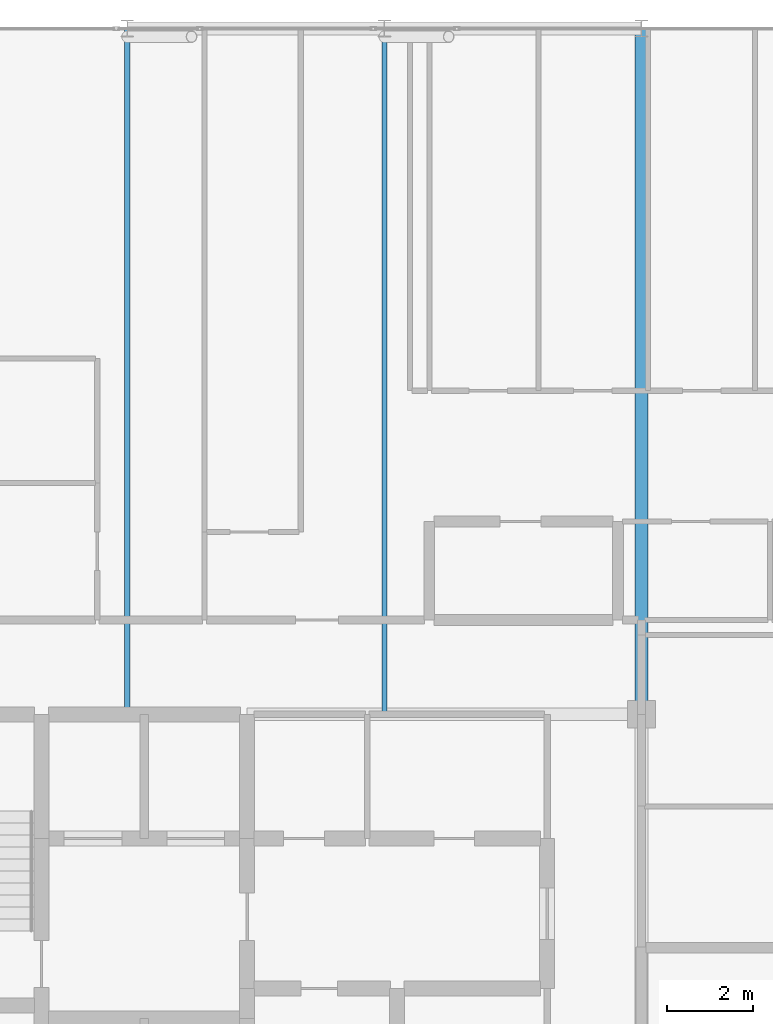
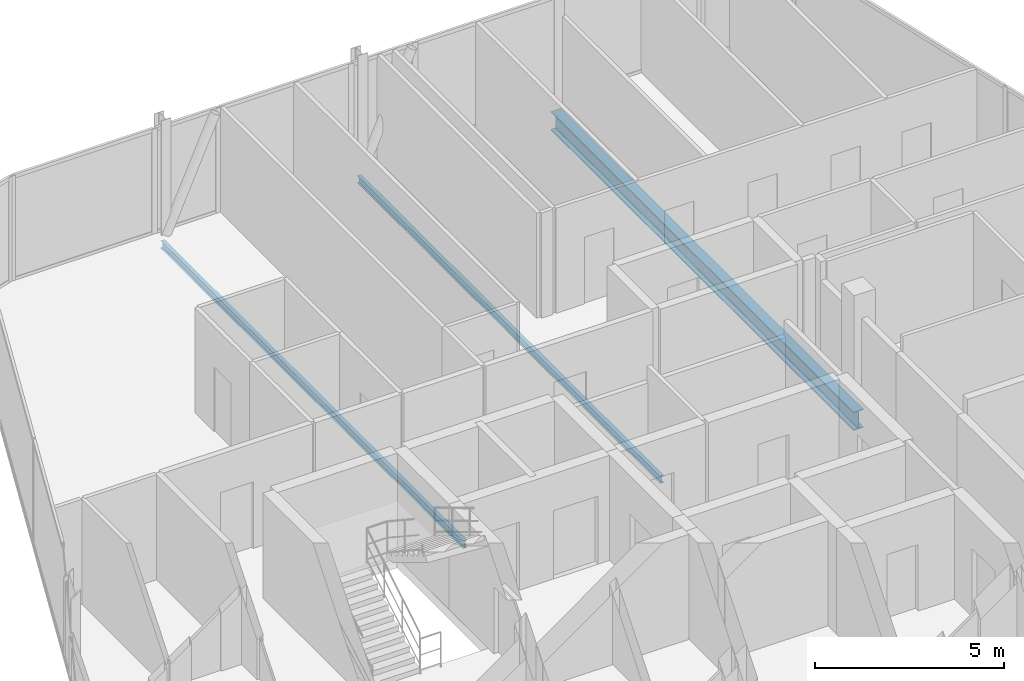
# One storey, part 16 of 27: 3 beams.
"""IFC4 building model written with IfcOpenShell, lengths in metres."""

from ifc_helpers import new_model, si_unit, direction, frame, origin, origin_2d, place, context, subcontext, project, spatial, i_section, extrude, material, material_profile, profile_set, type_object, element, save


model = new_model("IFC4")

# Units and contexts
model_context = context("Model", 3, precision=1e-05, world=origin(), true_north=direction((0.0, 1.0)))
body_context = subcontext(model_context, "Body", "Model", "MODEL_VIEW")
ifc_project = project(units=[si_unit("LENGTHUNIT", "METRE"), si_unit("AREAUNIT", "SQUARE_METRE"), si_unit("VOLUMEUNIT", "CUBIC_METRE"), si_unit("PLANEANGLEUNIT", "RADIAN"), si_unit("MASSUNIT", "GRAM", prefix="KILO")], contexts=[model_context])

# Site, building, storey
site_placement = place(None, origin())
site = spatial("IfcSite", under=ifc_project, at=site_placement, CompositionType="ELEMENT")
building_placement = place(site_placement, origin())
building = spatial("IfcBuilding", under=site, at=building_placement, Name="Keshet Zoharim Tower", CompositionType="ELEMENT")
storey_placement = place(building_placement, frame((0.0, 0.0, 291.699951171875)))
storey = spatial("IfcBuildingStorey", under=building, at=storey_placement, Name="L73", CompositionType="ELEMENT", Elevation=291.699951171875)

# Beams
ifc_material = material(Name="Steel S355", Category="steel")
ifc_material_profile_1 = material_profile(ifc_material, i_section(OverallWidth=0.1201171875, OverallDepth=0.239990234375, WebThickness=0.006103515625, FlangeThickness=0.009765625, FilletRadius=0.014892578125, at=origin_2d()), Name="IPE240")
ifc_profile_set_1 = profile_set([ifc_material_profile_1], Name="Steel S355")
beam_type_1 = type_object("IfcBeamType", Name="BM-JST-IP240", PredefinedType="JOIST", material=ifc_profile_set_1)
for number, where, z_axis, x_axis, name in (
    (1, (21.0, 37.89990234375, -0.429931640625), (0.0, 1.0, 0.0), (-1.0, 0.0, 0.0), "L73 Secondary Floor Joist J-001"),
    (2, (27.0, 37.89990234375, -0.429931640625), (0.0, 1.0, 0.0), (-1.0, 0.0, 0.0), "L73 Secondary Floor Joist J-002"),
):
    element("IfcBeam", number, at=place(storey_placement, frame(where, z_axis=z_axis, x_axis=x_axis)), inside=storey, type_object=beam_type_1, Name=name, PredefinedType="JOIST", context=body_context, shape_type="SweptSolid", body=[
        extrude(i_section(OverallWidth=0.1201171875, OverallDepth=0.239990234375, WebThickness=0.006103515625, FlangeThickness=0.009765625, FilletRadius=0.014892578125, at=origin_2d()), origin(), (0.0, 0.0, 1.0), 16.0),
    ])
ifc_material_profile_2 = material_profile(ifc_material, i_section(OverallWidth=0.300048828125, OverallDepth=0.60009765625, WebThickness=0.015380859375, FlangeThickness=0.030029296875, FilletRadius=0.027099609375, at=origin_2d()), Name="HEB600")
ifc_profile_set_2 = profile_set([ifc_material_profile_2], Name="Steel S355")
beam_type_2 = type_object("IfcBeamType", Name="BM-LNG-HB600", PredefinedType="BEAM", material=ifc_profile_set_2)
beam_placement = place(storey_placement, frame((33.0, 37.89990234375, -0.60986328125), z_axis=(0.0, 1.0, 0.0), x_axis=(-1.0, 0.0, 0.0)))
element("IfcBeam", 3, at=beam_placement, inside=storey, type_object=beam_type_2, Name="L73 Primary Girder Y-009", PredefinedType="BEAM", context=body_context, shape_type="SweptSolid", body=[
    extrude(i_section(OverallWidth=0.300048828125, OverallDepth=0.60009765625, WebThickness=0.015380859375, FlangeThickness=0.030029296875, FilletRadius=0.027099609375, at=origin_2d()), origin(), (0.0, 0.0, 1.0), 16.0),
])

save(model, "model.ifc")
